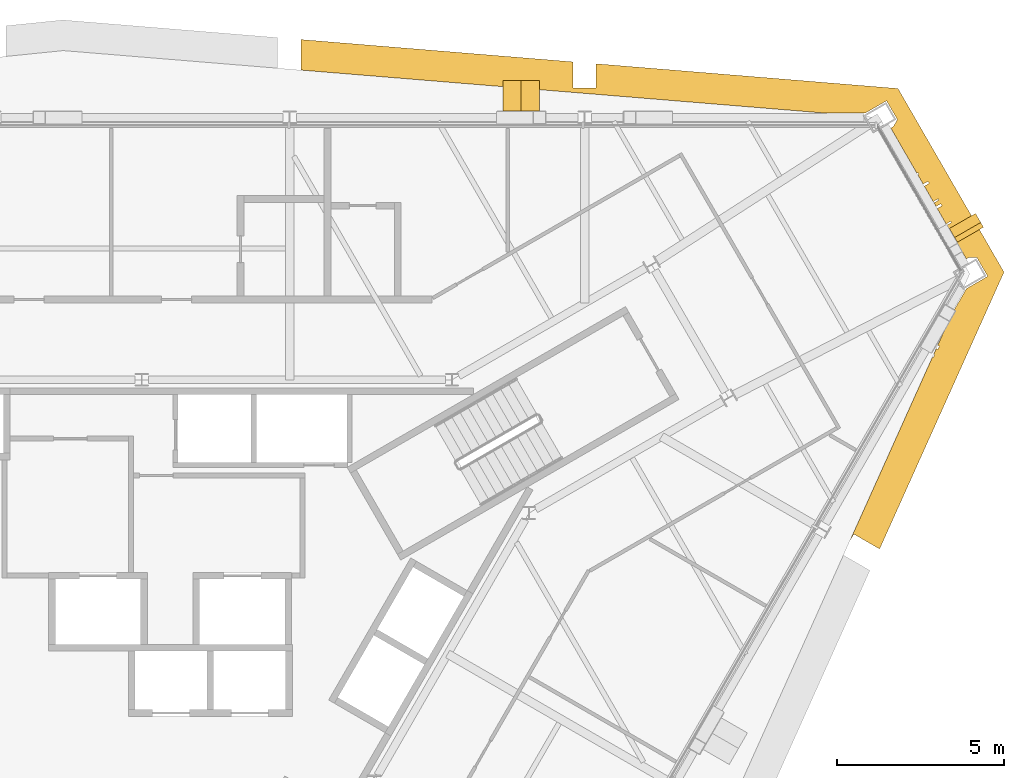
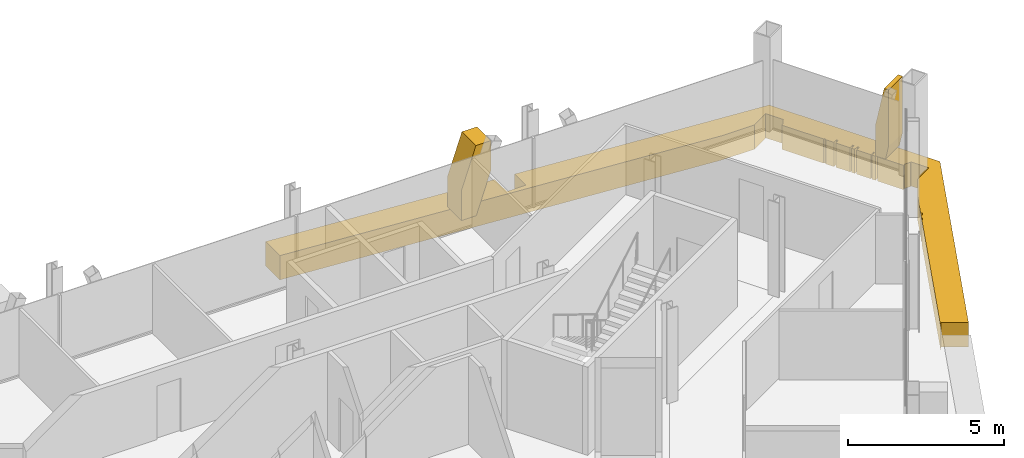
# One storey, part 14 of 14: 3 coverings.
"""IFC4 building model written with IfcOpenShell, lengths in metres."""

from ifc_helpers import new_model, si_unit, direction, frame, origin, place, context, subcontext, project, spatial, polyline, outline, extrude, material, layer, layer_set, type_object, element, save


model = new_model("IFC4")

# Units and contexts
model_context = context("Model", 3, precision=1e-05, world=origin(), true_north=direction((0.0, 1.0)))
body_context = subcontext(model_context, "Body", "Model", "MODEL_VIEW")
ifc_project = project(units=[si_unit("LENGTHUNIT", "METRE"), si_unit("AREAUNIT", "SQUARE_METRE"), si_unit("VOLUMEUNIT", "CUBIC_METRE"), si_unit("PLANEANGLEUNIT", "RADIAN"), si_unit("MASSUNIT", "GRAM", prefix="KILO")], contexts=[model_context])

# Site, building, storey
site_placement = place(None, origin())
site = spatial("IfcSite", under=ifc_project, at=site_placement, CompositionType="ELEMENT")
building_placement = place(site_placement, origin())
building = spatial("IfcBuilding", under=site, at=building_placement, Name="Verrane Prism Tower", CompositionType="ELEMENT")
storey_placement = place(building_placement, frame((0.0, 0.0, 224.89990234375)))
storey = spatial("IfcBuildingStorey", under=building, at=storey_placement, Name="L56", CompositionType="ELEMENT", Elevation=224.89990234375)

# Coverings
ifc_material_1 = material(Name="Warm limestone cladding", Category="masonry")
ifc_layer_1 = layer(ifc_material_1, 0.89990234375)
ifc_layer_set_1 = layer_set([ifc_layer_1], Name="Stone brace fin 900")
covering_type_1 = type_object("IfcCoveringType", Name="Stone brace fin 900", PredefinedType="CLADDING", material=ifc_layer_set_1)
covering_1_placement = place(storey_placement, frame((10.78857421875, 16.483154296875, 0.0), z_axis=(0.0, 0.0, 1.0), x_axis=(1.0, 0.0, 0.0)))
element("IfcCovering", 1, at=covering_1_placement, inside=storey, type_object=covering_type_1, Name="Stone brace fin N2 L56", PredefinedType="CLADDING", context=body_context, shape_type="SweptSolid", body=[
    extrude(outline(polyline([(1.087158203125, 2.75), (0.53369140625, 2.75), (0.0, 1.180908203125), (0.0, 0.0), (0.549072265625, 0.0), (1.087158203125, 1.582275390625), (1.087158203125, 2.75)])), frame((0.0, 0.449951171875, 0.0), z_axis=(0.0, -1.0, 0.0), x_axis=(1.0, 0.0, 0.0)), (0.0, 0.0, 1.0), 0.89990234375),
])
covering_2_placement = place(storey_placement, frame((24.504150390625, 12.74169921875, 0.0), z_axis=(0.0, 0.0, 1.0), x_axis=(0.499128387104, -0.86652804524, 0.0)))
element("IfcCovering", 2, at=covering_2_placement, inside=storey, type_object=covering_type_1, Name="Stone brace fin NE1 L56", PredefinedType="CLADDING", context=body_context, shape_type="SweptSolid", body=[
    extrude(outline(polyline([(0.474365234375, 2.75), (0.310546875, 2.75), (0.0, 1.257568359375), (0.0, 0.0), (0.362548828125, 0.0), (0.474365234375, 0.536865234375), (0.474365234375, 2.75)])), frame((0.0, 0.449951171875, 0.0), z_axis=(0.0, -1.0, 0.0), x_axis=(1.0, 0.0, 0.0)), (0.0, 0.0, 1.0), 0.89990234375),
])
ifc_material_2 = material(Name="Warm limestone cladding", Category="masonry")
ifc_layer_2 = layer(ifc_material_2, 0.449951171875)
ifc_layer_set_2 = layer_set([ifc_layer_2], Name="Stone spandrel band 450")
covering_type_2 = type_object("IfcCoveringType", Name="Stone spandrel band 450", PredefinedType="CLADDING", material=ifc_layer_set_2)
covering_3_placement = place(storey_placement, frame((0.0, 0.0, -0.949951171875)))
element("IfcCovering", 3, at=covering_3_placement, inside=storey, type_object=covering_type_2, Name="Stone spandrel band L56 part 2", PredefinedType="CLADDING", context=body_context, shape_type="SweptSolid", body=[
    extrude(outline(polyline([(4.755615234375, 18.159912109375), (4.755615234375, 17.2470703125), (20.403076171875, 15.96337890625), (21.60107421875, 15.96337890625), (22.2373046875, 16.330810546875), (22.5673828125, 15.75927734375), (22.54833984375, 15.748291015625), (22.4375, 15.55908203125), (22.363525390625, 15.516357421875), (23.138916015625, 14.17333984375), (23.188232421875, 14.168701171875), (23.181396484375, 14.099609375), (23.330078125, 13.84228515625), (23.4736328125, 13.9248046875), (23.509033203125, 13.86328125), (23.365478515625, 13.780517578125), (23.630859375, 13.321044921875), (23.77392578125, 13.4033203125), (23.79638671875, 13.364501953125), (23.6533203125, 13.2822265625), (23.71484375, 13.175537109375), (23.85791015625, 13.2578125), (23.893310546875, 13.196044921875), (23.75048828125, 13.11376953125), (24.015869140625, 12.654296875), (24.158203125, 12.736083984375), (24.1806640625, 12.697265625), (24.038330078125, 12.615478515625), (24.099853515625, 12.5087890625), (24.2421875, 12.590576171875), (24.277587890625, 12.52880859375), (24.135498046875, 12.447021484375), (24.619140625, 11.609130859375), (24.689453125, 11.64990234375), (24.908447265625, 11.64990234375), (24.927490234375, 11.660888671875), (25.25732421875, 11.089111328125), (24.624267578125, 10.7236328125), (24.182861328125, 9.958984375), (23.764892578125, 9.029052734375), (23.8193359375, 8.997802734375), (23.765625, 8.904296875), (23.720458984375, 8.930419921875), (23.64990234375, 8.773193359375), (23.679931640625, 8.755859375), (23.6240234375, 8.658935546875), (23.603759765625, 8.67041015625), (21.16064453125, 3.2333984375), (21.167236328125, 3.22998046875), (21.26025390625, 3.39111328125), (22.029296875, 2.947265625), (25.744140625, 11.2138671875), (22.577880859375, 16.69775390625), (13.56689453125, 17.43701171875), (13.56689453125, 16.714111328125), (12.866943359375, 16.714111328125), (12.866943359375, 17.494384765625), (4.755615234375, 18.159912109375)])), origin(), (0.0, 0.0, 1.0), 0.949951171875),
])

save(model, "model.ifc")
